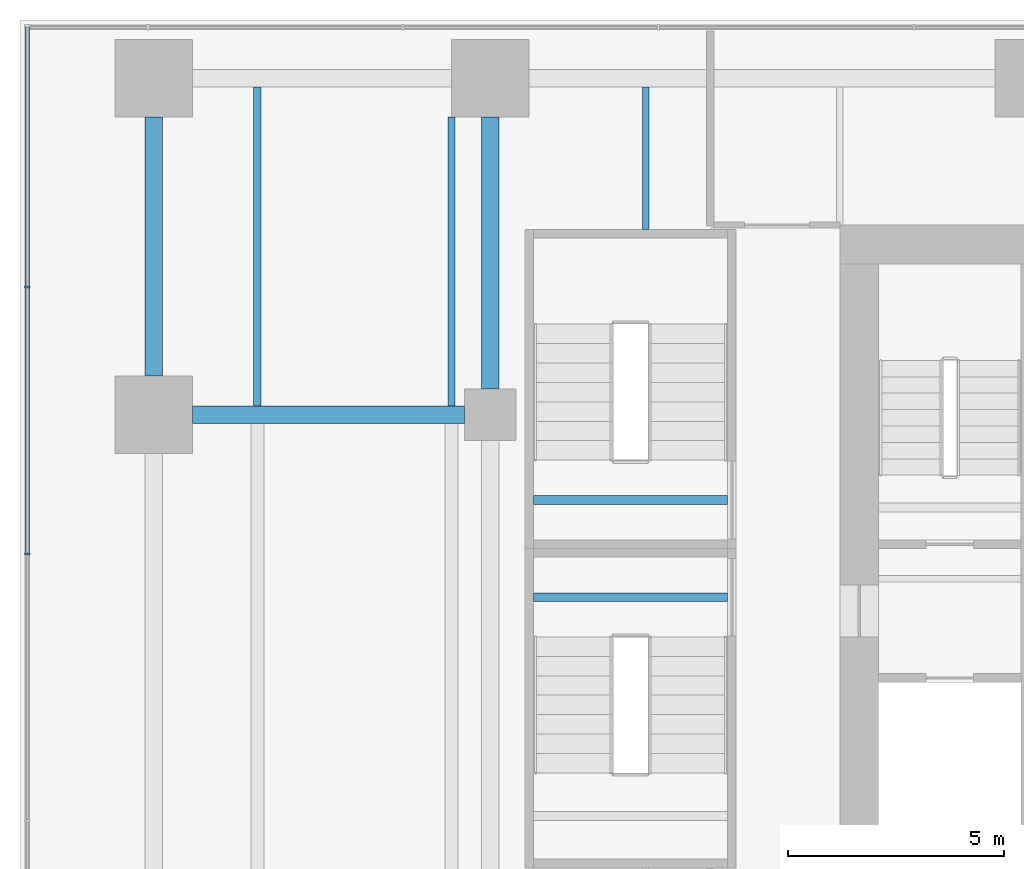
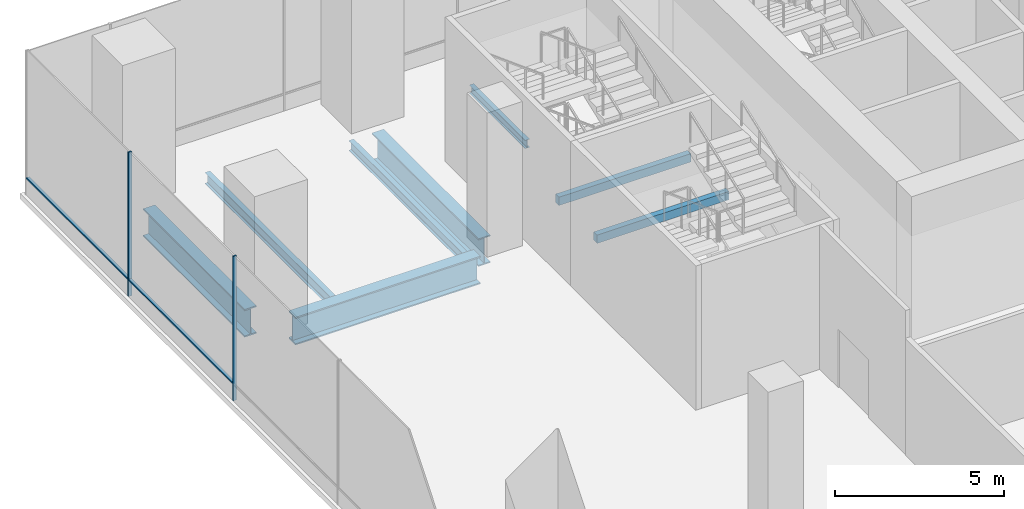
# One storey, part 9 of 26: 8 beams, 4 members, 1 element without a shape of its own.
"""IFC4 building model written with IfcOpenShell, lengths in metres."""

from ifc_helpers import new_model, si_unit, direction, frame, origin, origin_2d, place, context, subcontext, project, spatial, rectangle, i_section, extrude, material, layer, layer_set, material_profile, profile_set, type_object, element, aggregate, save


model = new_model("IFC4")

# Units and contexts
model_context = context("Model", 3, precision=1e-05, world=origin(), true_north=direction((0.0, 1.0)))
body_context = subcontext(model_context, "Body", "Model", "MODEL_VIEW")
ifc_project = project(units=[si_unit("LENGTHUNIT", "METRE"), si_unit("AREAUNIT", "SQUARE_METRE"), si_unit("VOLUMEUNIT", "CUBIC_METRE"), si_unit("PLANEANGLEUNIT", "RADIAN"), si_unit("MASSUNIT", "GRAM", prefix="KILO")], contexts=[model_context])

# Site, building, storey
site_placement = place(None, origin())
site = spatial("IfcSite", under=ifc_project, at=site_placement, CompositionType="ELEMENT")
building_placement = place(site_placement, origin())
building = spatial("IfcBuilding", under=site, at=building_placement, Name="Rattan Terrace Tower", CompositionType="ELEMENT")
storey_placement = place(building_placement, frame((0.0, 0.0, 7.199951171875)))
storey = spatial("IfcBuildingStorey", under=building, at=storey_placement, Name="L01", CompositionType="ELEMENT", Elevation=7.199951171875)

# Beams
ifc_material_1 = material(Name="Concrete C40/50", Category="concrete")
ifc_material_profile_1 = material_profile(ifc_material_1, rectangle(XDim=0.199951171875, YDim=0.300048828125, at=origin_2d()), Name="RC 200x300")
ifc_profile_set_1 = profile_set([ifc_material_profile_1], Name="Concrete C40/50")
beam_type_1 = type_object("IfcBeamType", Name="Core landing beam RC 200x300", PredefinedType="BEAM", material=ifc_profile_set_1)
for number, where, z_axis, x_axis, name in (
    (1, (-25.10009765625, -1.125, 2.35009765625), (1.0, 0.0, 0.0), (0.0, 1.0, 0.0), "st-S4-L01 landing 2 edge beam"),
    (2, (-25.10009765625, 1.125, 2.35009765625), (1.0, 0.0, 0.0), (0.0, 1.0, 0.0), "st-S5-L01 landing 2 edge beam"),
):
    element("IfcBeam", number, at=place(storey_placement, frame(where, z_axis=z_axis, x_axis=x_axis)), inside=storey, type_object=beam_type_1, Name=name, PredefinedType="BEAM", context=body_context, shape_type="SweptSolid", body=[
        extrude(rectangle(XDim=0.199951171875, YDim=0.300048828125, at=origin_2d()), origin(), (0.0, 0.0, 1.0), 4.5),
    ])
ifc_material_2 = material(Name="Steel S355", Category="steel")
ifc_material_profile_2 = material_profile(ifc_material_2, i_section(OverallWidth=0.14990234375, OverallDepth=0.300048828125, WebThickness=0.007080078125, FlangeThickness=0.0107421875, FilletRadius=0.014892578125, at=origin_2d()), Name="IPE 300")
ifc_profile_set_2 = profile_set([ifc_material_profile_2], Name="Steel S355")
beam_type_2 = type_object("IfcBeamType", Name="Frame floor beam IPE 300", PredefinedType="JOIST", material=ifc_profile_set_2)
beam_1_placement = place(storey_placement, frame((-22.5, 7.39990234375, -0.349853515625), z_axis=(0.0, 1.0, 0.0), x_axis=(-1.0, 0.0, 0.0)))
element("IfcBeam", 3, at=beam_1_placement, inside=storey, type_object=beam_type_2, Name="bm-L01-043", PredefinedType="JOIST", context=body_context, shape_type="SweptSolid", body=[
    extrude(i_section(OverallWidth=0.14990234375, OverallDepth=0.300048828125, WebThickness=0.007080078125, FlangeThickness=0.0107421875, FilletRadius=0.014892578125, at=origin_2d()), origin(), (0.0, 0.0, 1.0), 3.300048828125),
])
ifc_material_3 = material(Name="Steel S355", Category="steel")
ifc_material_profile_3 = material_profile(ifc_material_3, i_section(OverallWidth=0.169921875, OverallDepth=0.360107421875, WebThickness=0.008056640625, FlangeThickness=0.0126953125, FilletRadius=0.01806640625, at=origin_2d()), Name="IPE 360")
ifc_profile_set_3 = profile_set([ifc_material_profile_3], Name="Steel S355")
beam_type_3 = type_object("IfcBeamType", Name="Frame floor beam IPE 360", PredefinedType="JOIST", material=ifc_profile_set_3)
beam_2_placement = place(storey_placement, frame((-27.0, 3.300048828125, -0.3798828125), z_axis=(0.0, 1.0, 0.0), x_axis=(-1.0, 0.0, 0.0)))
element("IfcBeam", 4, at=beam_2_placement, inside=storey, type_object=beam_type_3, Name="bm-L01-040", PredefinedType="JOIST", context=body_context, shape_type="SweptSolid", body=[
    extrude(i_section(OverallWidth=0.169921875, OverallDepth=0.360107421875, WebThickness=0.008056640625, FlangeThickness=0.0126953125, FilletRadius=0.01806640625, at=origin_2d()), origin(), (0.0, 0.0, 1.0), 6.699951171875),
])
ifc_material_4 = material(Name="Steel S355", Category="steel")
ifc_material_profile_4 = material_profile(ifc_material_4, i_section(OverallWidth=0.179931640625, OverallDepth=0.39990234375, WebThickness=0.008544921875, FlangeThickness=0.013427734375, FilletRadius=0.02099609375, at=origin_2d()), Name="IPE 400")
ifc_profile_set_4 = profile_set([ifc_material_profile_4], Name="Steel S355")
beam_type_4 = type_object("IfcBeamType", Name="Frame floor beam IPE 400", PredefinedType="JOIST", material=ifc_profile_set_4)
beam_3_placement = place(storey_placement, frame((-31.5, 3.300048828125, -0.39990234375), z_axis=(0.0, 1.0, 0.0), x_axis=(-1.0, 0.0, 0.0)))
element("IfcBeam", 5, at=beam_3_placement, inside=storey, type_object=beam_type_4, Name="bm-L01-039", PredefinedType="JOIST", context=body_context, shape_type="SweptSolid", body=[
    extrude(i_section(OverallWidth=0.179931640625, OverallDepth=0.39990234375, WebThickness=0.008544921875, FlangeThickness=0.013427734375, FilletRadius=0.02099609375, at=origin_2d()), origin(), (0.0, 0.0, 1.0), 7.39990234375),
])
ifc_material_5 = material(Name="Steel S460", Category="steel")
ifc_material_profile_5 = material_profile(ifc_material_5, i_section(OverallWidth=0.39990234375, OverallDepth=1.0, WebThickness=0.01806640625, FlangeThickness=0.044921875, at=origin_2d()), Name="PG 1000x400-18-45")
ifc_profile_set_5 = profile_set([ifc_material_profile_5], Name="Steel S460")
beam_type_5 = type_object("IfcBeamType", Name="Frame podium girder PG 1000x400-18-45", PredefinedType="USERDEFINED", material=ifc_profile_set_5)
for number, where, z_axis, x_axis, name in (
    (6, (-33.0, 3.10009765625, -0.699951171875), (1.0, 0.0, 0.0), (0.0, 1.0, 0.0), "gdr-L01-040"),
    (7, (-26.10009765625, 3.699951171875, -0.699951171875), (0.0, 1.0, 0.0), (-1.0, 0.0, 0.0), "gdr-L01-042"),
):
    element("IfcBeam", number, at=place(storey_placement, frame(where, z_axis=z_axis, x_axis=x_axis)), inside=storey, type_object=beam_type_5, Name=name, ObjectType="PODIUM GIRDER", PredefinedType="USERDEFINED", context=body_context, shape_type="SweptSolid", body=[
        extrude(i_section(OverallWidth=0.39990234375, OverallDepth=1.0, WebThickness=0.01806640625, FlangeThickness=0.044921875, at=origin_2d()), origin(), (0.0, 0.0, 1.0), 6.300048828125),
    ])
beam_4_placement = place(storey_placement, frame((-33.89990234375, 4.0, -0.699951171875), z_axis=(0.0, 1.0, 0.0), x_axis=(-1.0, 0.0, 0.0)))
element("IfcBeam", 8, at=beam_4_placement, inside=storey, type_object=beam_type_5, Name="gdr-L01-044", ObjectType="PODIUM GIRDER", PredefinedType="USERDEFINED", context=body_context, shape_type="SweptSolid", body=[
    extrude(i_section(OverallWidth=0.39990234375, OverallDepth=1.0, WebThickness=0.01806640625, FlangeThickness=0.044921875, at=origin_2d()), origin(), (0.0, 0.0, 1.0), 6.0),
])

# Curtain wall, members
ifc_material_6 = material(Name="Aluminium and glass", Category="aluminium")
ifc_layer = layer(ifc_material_6, 0.1201171875)
ifc_layer_set = layer_set([ifc_layer], Name="Station Storefront Curtain Wall")
curtain_wall_type = type_object("IfcCurtainWallType", Name="Station Storefront Curtain Wall", PredefinedType="NOTDEFINED", material=ifc_layer_set)
curtain_wall_placement = place(storey_placement, origin())
curtain_wall = element("IfcCurtainWall", 9, at=curtain_wall_placement, inside=storey, type_object=curtain_wall_type, Name="Storefront curtain wall L01-3", PredefinedType="NOTDEFINED")
ifc_material_7 = material(Name="Aluminium", Category="aluminium")
ifc_material_profile_6 = material_profile(ifc_material_7, rectangle(XDim=0.050048828125, YDim=0.1201171875, at=origin_2d()), Name="Aluminium 50x120")
ifc_profile_set_6 = profile_set([ifc_material_profile_6], Name="Aluminium")
member_type_1 = type_object("IfcMemberType", Name="Storefront CW Mullion 50x120", PredefinedType="MULLION", material=ifc_profile_set_6)
member_1_placement = place(storey_placement, frame((-36.830078125, 6.06201171875, 0.0), z_axis=(0.0, 0.0, 1.0), x_axis=(0.0, -1.0, 0.0)))
member_1 = element("IfcMember", 10, at=member_1_placement, type_object=member_type_1, Name="Mullion cwl-L01-003.2", PredefinedType="MULLION", context=body_context, shape_type="SweptSolid", body=[
    extrude(rectangle(XDim=0.050048828125, YDim=0.1201171875, at=origin_2d()), origin(), (0.0, 0.0, 1.0), 5.199951171875),
])
member_2_placement = place(storey_placement, frame((-36.830078125, -0.1259765625, 0.0), z_axis=(0.0, 0.0, 1.0), x_axis=(0.0, -1.0, 0.0)))
member_2 = element("IfcMember", 11, at=member_2_placement, type_object=member_type_1, Name="Mullion cwl-L01-003.3", PredefinedType="MULLION", context=body_context, shape_type="SweptSolid", body=[
    extrude(rectangle(XDim=0.050048828125, YDim=0.1201171875, at=origin_2d()), origin(), (0.0, 0.0, 1.0), 5.199951171875),
])
ifc_material_8 = material(Name="Aluminium", Category="aluminium")
ifc_material_profile_7 = material_profile(ifc_material_8, rectangle(XDim=0.10009765625, YDim=0.050048828125, at=origin_2d()), Name="Aluminium 100x50")
ifc_profile_set_7 = profile_set([ifc_material_profile_7], Name="Aluminium")
member_type_2 = type_object("IfcMemberType", Name="Storefront CW Transom 100x50", PredefinedType="USERDEFINED", material=ifc_profile_set_7)
member_3_placement = place(storey_placement, frame((-36.830078125, 12.090087890625, 0.60009765625), z_axis=(0.0, -1.0, 0.0), x_axis=(1.0, 0.0, 0.0)))
member_3 = element("IfcMember", 12, at=member_3_placement, type_object=member_type_2, Name="Transom cwl-L01-003.1", ObjectType="TRANSOM", PredefinedType="USERDEFINED", context=body_context, shape_type="SweptSolid", body=[
    extrude(rectangle(XDim=0.10009765625, YDim=0.050048828125, at=origin_2d()), origin(), (0.0, 0.0, 1.0), 6.003173828125),
])
member_4_placement = place(storey_placement, frame((-36.830078125, 6.037109375, 0.60009765625), z_axis=(0.0, -1.0, 0.0), x_axis=(1.0, 0.0, 0.0)))
member_4 = element("IfcMember", 13, at=member_4_placement, type_object=member_type_2, Name="Transom cwl-L01-003.2", ObjectType="TRANSOM", PredefinedType="USERDEFINED", context=body_context, shape_type="SweptSolid", body=[
    extrude(rectangle(XDim=0.10009765625, YDim=0.050048828125, at=origin_2d()), origin(), (0.0, 0.0, 1.0), 6.13818359375),
])
aggregate(curtain_wall, [member_1, member_2, member_3, member_4])

save(model, "model.ifc")
